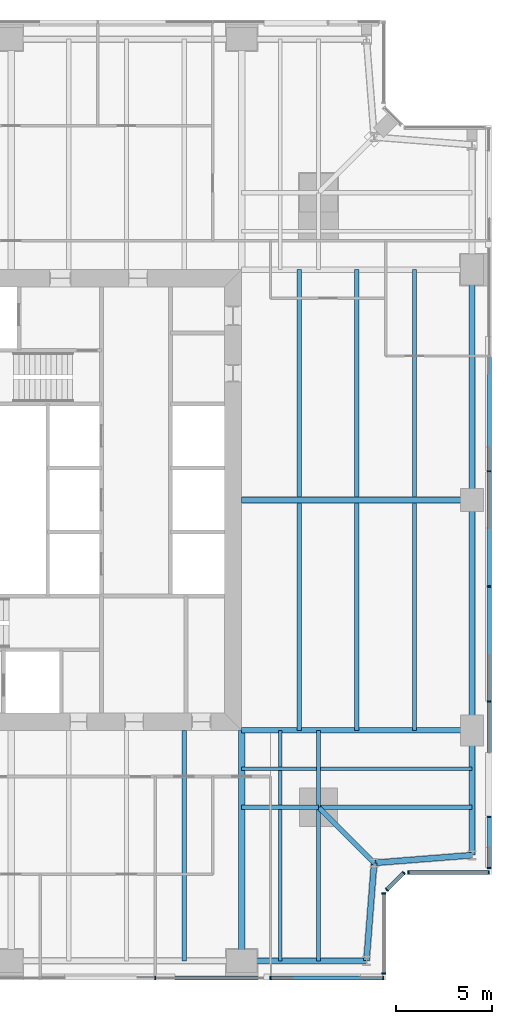
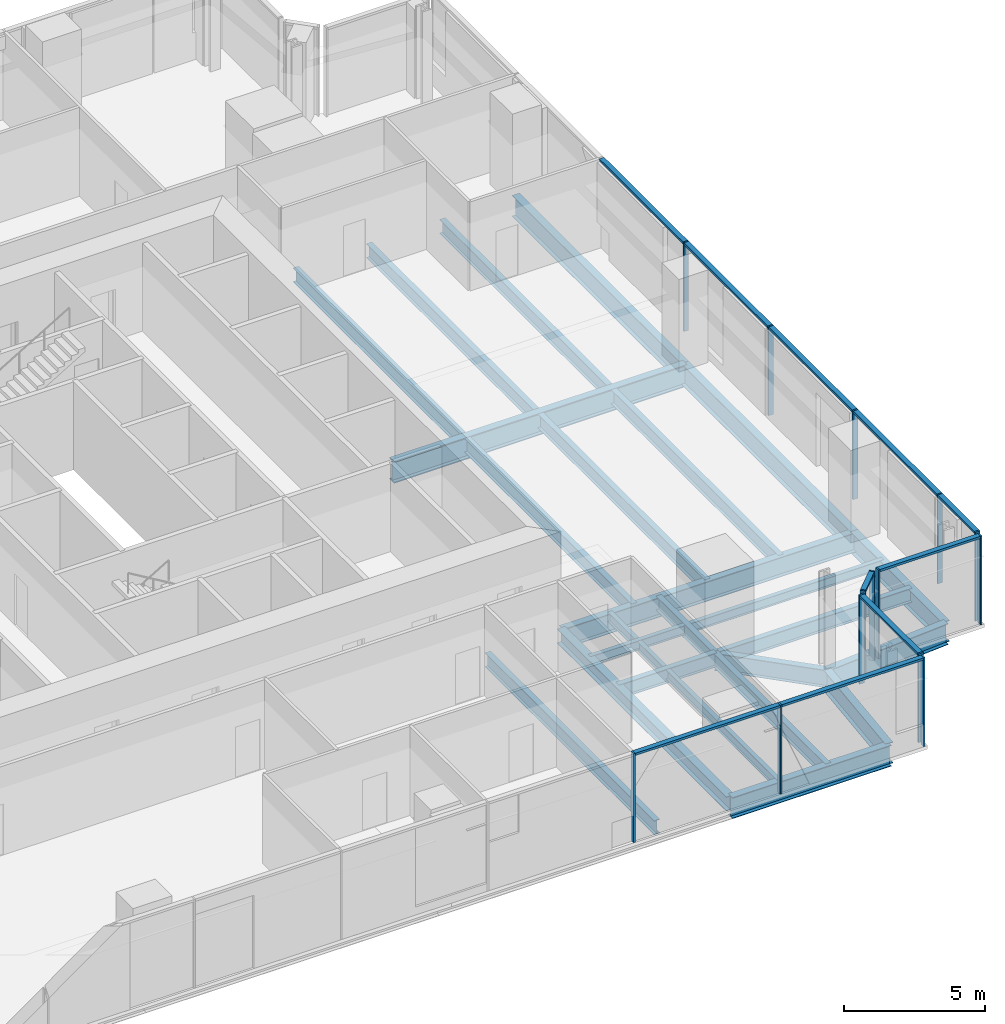
# One storey, part 5 of 14: 26 beams, 24 members, 5 elements without a shape of their own.
"""IFC4 building model written with IfcOpenShell, lengths in metres."""

from ifc_helpers import new_model, si_unit, direction, frame, origin, origin_2d, place, context, subcontext, project, spatial, rectangle, i_section, extrude, material, material_profile, profile_set, type_object, element, aggregate, save


model = new_model("IFC4")

# Units and contexts
model_context = context("Model", 3, precision=1e-05, world=origin(), true_north=direction((0.0, 1.0)))
body_context = subcontext(model_context, "Body", "Model", "MODEL_VIEW")
ifc_project = project(units=[si_unit("LENGTHUNIT", "METRE"), si_unit("AREAUNIT", "SQUARE_METRE"), si_unit("VOLUMEUNIT", "CUBIC_METRE"), si_unit("PLANEANGLEUNIT", "RADIAN"), si_unit("MASSUNIT", "GRAM", prefix="KILO")], contexts=[model_context])

# Site, building, storey
site_placement = place(None, origin())
site = spatial("IfcSite", under=ifc_project, at=site_placement, CompositionType="ELEMENT")
building_placement = place(site_placement, origin())
building = spatial("IfcBuilding", under=site, at=building_placement, Name="Fenwick Lantern Interchange", CompositionType="ELEMENT")
storey_placement = place(building_placement, frame((0.0, 0.0, 189.800048828125)))
storey = spatial("IfcBuildingStorey", under=building, at=storey_placement, Name="L44", CompositionType="ELEMENT", Elevation=189.800048828125)

# Beams
ifc_material_1 = material(Name="Steel ASTM A992 Grade 50", Category="steel")
ifc_material_profile_1 = material_profile(ifc_material_1, i_section(OverallWidth=0.3046875, OverallDepth=0.911865234375, WebThickness=0.015869140625, FlangeThickness=0.02392578125, at=origin_2d()), Name="W36X150")
ifc_profile_set_1 = profile_set([ifc_material_profile_1], Name="Steel ASTM A992 Grade 50")
beam_type_1 = type_object("IfcBeamType", Name="EDGE BEAM W36X150", PredefinedType="SPANDREL", material=ifc_profile_set_1)
beam_1_placement = place(storey_placement, frame((37.0, 1.0, -0.60595703125), z_axis=(1.0, 0.0, 0.0), x_axis=(0.0, 1.0, 0.0)))
element("IfcBeam", 1, at=beam_1_placement, inside=storey, type_object=beam_type_1, Name="L44/FR/S/EB4", PredefinedType="SPANDREL", context=body_context, shape_type="SweptSolid", body=[
    extrude(i_section(OverallWidth=0.3046875, OverallDepth=0.911865234375, WebThickness=0.015869140625, FlangeThickness=0.02392578125, at=origin_2d()), origin(), (0.0, 0.0, 1.0), 6.5),
])
for number, where, z_axis, x_axis, name in (
    (2, (43.5, 1.0, -0.60595703125), (0.078170784639, 0.99693998236, 0.0), (-0.99693998236, 0.078170784639, 0.0), "L44/FR/S/EBR1"),
    (3, (43.89990234375, 6.10009765625, -0.60595703125), (0.99693998236, 0.078170784639, 0.0), (-0.078170784639, 0.99693998236, 0.0), "L44/FR/S/EBR2"),
):
    element("IfcBeam", number, at=place(storey_placement, frame(where, z_axis=z_axis, x_axis=x_axis)), inside=storey, type_object=beam_type_1, Name=name, PredefinedType="SPANDREL", context=body_context, shape_type="SweptSolid", body=[
        extrude(i_section(OverallWidth=0.3046875, OverallDepth=0.911865234375, WebThickness=0.015869140625, FlangeThickness=0.02392578125, at=origin_2d()), origin(), (0.0, 0.0, 1.0), 5.11572265625),
    ])
beam_2_placement = place(storey_placement, frame((49.0, 6.5, -0.60595703125), z_axis=(0.0, 1.0, 0.0), x_axis=(-1.0, 0.0, 0.0)))
element("IfcBeam", 4, at=beam_2_placement, inside=storey, type_object=beam_type_1, Name="L44/FR/E/EB1", PredefinedType="SPANDREL", context=body_context, shape_type="SweptSolid", body=[
    extrude(i_section(OverallWidth=0.3046875, OverallDepth=0.911865234375, WebThickness=0.015869140625, FlangeThickness=0.02392578125, at=origin_2d()), origin(), (0.0, 0.0, 1.0), 6.5),
])
for number, where, z_axis, x_axis, name in (
    (5, (49.0, 13.0, -0.60595703125), (0.0, 1.0, 0.0), (-1.0, 0.0, 0.0), "L44/FR/E/EB2"),
    (6, (49.0, 25.0, -0.60595703125), (0.0, 1.0, 0.0), (-1.0, 0.0, 0.0), "L44/FR/E/EB3"),
):
    element("IfcBeam", number, at=place(storey_placement, frame(where, z_axis=z_axis, x_axis=x_axis)), inside=storey, type_object=beam_type_1, Name=name, PredefinedType="SPANDREL", context=body_context, shape_type="SweptSolid", body=[
        extrude(i_section(OverallWidth=0.3046875, OverallDepth=0.911865234375, WebThickness=0.015869140625, FlangeThickness=0.02392578125, at=origin_2d()), origin(), (0.0, 0.0, 1.0), 12.0),
    ])
ifc_material_profile_2 = material_profile(ifc_material_1, i_section(OverallWidth=0.22900390625, OverallDepth=0.612060546875, WebThickness=0.011962890625, FlangeThickness=0.01953125, at=origin_2d()), Name="W24X84")
ifc_profile_set_2 = profile_set([ifc_material_profile_2], Name="Steel ASTM A992 Grade 50")
beam_type_2 = type_object("IfcBeamType", Name="FLOOR BEAM W24X84", PredefinedType="BEAM", material=ifc_profile_set_2)
beam_3_placement = place(storey_placement, frame((34.0, 1.0, -0.4560546875), z_axis=(0.0, 1.0, 0.0), x_axis=(-1.0, 0.0, 0.0)))
element("IfcBeam", 7, at=beam_3_placement, inside=storey, type_object=beam_type_2, Name="L44/FR/S/R08", PredefinedType="BEAM", context=body_context, shape_type="SweptSolid", body=[
    extrude(i_section(OverallWidth=0.22900390625, OverallDepth=0.612060546875, WebThickness=0.011962890625, FlangeThickness=0.01953125, at=origin_2d()), origin(), (0.0, 0.0, 1.0), 12.0),
])
for number, where, z_axis, x_axis, name in (
    (8, (46.0, 13.0, -0.4560546875), (0.0, 1.0, 0.0), (-1.0, 0.0, 0.0), "L44/FR/E/B01"),
    (9, (43.0, 13.0, -0.4560546875), (0.0, 1.0, 0.0), (-1.0, 0.0, 0.0), "L44/FR/E/B02"),
    (10, (40.0, 13.0, -0.4560546875), (0.0, 1.0, 0.0), (-1.0, 0.0, 0.0), "L44/FR/E/B03"),
    (11, (46.0, 25.155029296875, -0.4560546875), (0.0, 1.0, 0.0), (-1.0, 0.0, 0.0), "L44/FR/E/B04"),
    (12, (43.0, 25.155029296875, -0.4560546875), (0.0, 1.0, 0.0), (-1.0, 0.0, 0.0), "L44/FR/E/B05"),
    (13, (40.0, 25.155029296875, -0.4560546875), (0.0, 1.0, 0.0), (-1.0, 0.0, 0.0), "L44/FR/E/B06"),
):
    element("IfcBeam", number, at=place(storey_placement, frame(where, z_axis=z_axis, x_axis=x_axis)), inside=storey, type_object=beam_type_2, Name=name, PredefinedType="BEAM", context=body_context, shape_type="SweptSolid", body=[
        extrude(i_section(OverallWidth=0.22900390625, OverallDepth=0.612060546875, WebThickness=0.011962890625, FlangeThickness=0.01953125, at=origin_2d()), origin(), (0.0, 0.0, 1.0), 11.844970703125),
    ])
ifc_material_profile_3 = material_profile(ifc_material_1, i_section(OverallWidth=0.177734375, OverallDepth=0.406494140625, WebThickness=0.0078125, FlangeThickness=0.012939453125, at=origin_2d()), Name="W16X40")
ifc_profile_set_3 = profile_set([ifc_material_profile_3], Name="Steel ASTM A992 Grade 50")
beam_type_3 = type_object("IfcBeamType", Name="INFILL BEAM W16X40", PredefinedType="JOIST", material=ifc_profile_set_3)
beam_4_placement = place(storey_placement, frame((49.0, 11.0, -0.353271484375), z_axis=(-1.0, 0.0, 0.0), x_axis=(0.0, -1.0, 0.0)))
element("IfcBeam", 14, at=beam_4_placement, inside=storey, type_object=beam_type_3, Name="L44/FR/E/J1", PredefinedType="JOIST", context=body_context, shape_type="SweptSolid", body=[
    extrude(i_section(OverallWidth=0.177734375, OverallDepth=0.406494140625, WebThickness=0.0078125, FlangeThickness=0.012939453125, at=origin_2d()), origin(), (0.0, 0.0, 1.0), 7.885498046875),
])
beam_5_placement = place(storey_placement, frame((40.885498046875, 11.0, -0.353271484375), z_axis=(-1.0, 0.0, 0.0), x_axis=(0.0, -1.0, 0.0)))
element("IfcBeam", 15, at=beam_5_placement, inside=storey, type_object=beam_type_3, Name="L44/FR/E/J2", PredefinedType="JOIST", context=body_context, shape_type="SweptSolid", body=[
    extrude(i_section(OverallWidth=0.177734375, OverallDepth=0.406494140625, WebThickness=0.0078125, FlangeThickness=0.012939453125, at=origin_2d()), origin(), (0.0, 0.0, 1.0), 3.885498046875),
])
beam_6_placement = place(storey_placement, frame((39.0, 1.0, -0.353271484375), z_axis=(0.0, 1.0, 0.0), x_axis=(-1.0, 0.0, 0.0)))
element("IfcBeam", 16, at=beam_6_placement, inside=storey, type_object=beam_type_3, Name="L44/FR/E/J3", PredefinedType="JOIST", context=body_context, shape_type="SweptSolid", body=[
    extrude(i_section(OverallWidth=0.177734375, OverallDepth=0.406494140625, WebThickness=0.0078125, FlangeThickness=0.012939453125, at=origin_2d()), origin(), (0.0, 0.0, 1.0), 7.885498046875),
])
beam_7_placement = place(storey_placement, frame((39.0, 9.114501953125, -0.353271484375), z_axis=(0.0, 1.0, 0.0), x_axis=(-1.0, 0.0, 0.0)))
element("IfcBeam", 17, at=beam_7_placement, inside=storey, type_object=beam_type_3, Name="L44/FR/E/J4", PredefinedType="JOIST", context=body_context, shape_type="SweptSolid", body=[
    extrude(i_section(OverallWidth=0.177734375, OverallDepth=0.406494140625, WebThickness=0.0078125, FlangeThickness=0.012939453125, at=origin_2d()), origin(), (0.0, 0.0, 1.0), 1.796630859375),
])
beam_8_placement = place(storey_placement, frame((39.0, 11.0888671875, -0.353271484375), z_axis=(0.0, 1.0, 0.0), x_axis=(-1.0, 0.0, 0.0)))
element("IfcBeam", 18, at=beam_8_placement, inside=storey, type_object=beam_type_3, Name="L44/FR/E/J5", PredefinedType="JOIST", context=body_context, shape_type="SweptSolid", body=[
    extrude(i_section(OverallWidth=0.177734375, OverallDepth=0.406494140625, WebThickness=0.0078125, FlangeThickness=0.012939453125, at=origin_2d()), origin(), (0.0, 0.0, 1.0), 1.9111328125),
])
ifc_material_profile_4 = material_profile(ifc_material_1, i_section(OverallWidth=0.22900390625, OverallDepth=0.612060546875, WebThickness=0.011962890625, FlangeThickness=0.01953125, at=origin_2d()), Name="W24X84")
ifc_profile_set_4 = profile_set([ifc_material_profile_4], Name="Steel ASTM A992 Grade 50")
beam_type_4 = type_object("IfcBeamType", Name="MEGA COLUMN BEAM W24X84", PredefinedType="BEAM", material=ifc_profile_set_4)
for number, where, z_axis, x_axis, name in (
    (19, (41.0, 9.0, -0.4560546875), (1.0, 0.0, 0.0), (0.0, 1.0, 0.0), "L44/FR/E/MB1"),
    (20, (41.0, 9.0, -0.4560546875), (0.0, -1.0, 0.0), (1.0, 0.0, 0.0), "L44/FR/E/MB2"),
):
    element("IfcBeam", number, at=place(storey_placement, frame(where, z_axis=z_axis, x_axis=x_axis)), inside=storey, type_object=beam_type_4, Name=name, PredefinedType="BEAM", context=body_context, shape_type="SweptSolid", body=[
        extrude(i_section(OverallWidth=0.22900390625, OverallDepth=0.612060546875, WebThickness=0.011962890625, FlangeThickness=0.01953125, at=origin_2d()), origin(), (0.0, 0.0, 1.0), 8.0),
    ])
for number, where, z_axis, x_axis, name in (
    (21, (41.0, 9.0, -0.4560546875), (0.0, 1.0, 0.0), (-1.0, 0.0, 0.0), "L44/FR/E/MB3"),
    (22, (41.0, 9.0, -0.4560546875), (-1.0, 0.0, 0.0), (0.0, -1.0, 0.0), "L44/FR/E/MB4"),
):
    element("IfcBeam", number, at=place(storey_placement, frame(where, z_axis=z_axis, x_axis=x_axis)), inside=storey, type_object=beam_type_4, Name=name, PredefinedType="BEAM", context=body_context, shape_type="SweptSolid", body=[
        extrude(i_section(OverallWidth=0.22900390625, OverallDepth=0.612060546875, WebThickness=0.011962890625, FlangeThickness=0.01953125, at=origin_2d()), origin(), (0.0, 0.0, 1.0), 4.0),
    ])
ifc_material_profile_5 = material_profile(ifc_material_1, i_section(OverallWidth=0.32763671875, OverallDepth=0.622314453125, WebThickness=0.015380859375, FlangeThickness=0.0244140625, at=origin_2d()), Name="W24X131")
ifc_profile_set_5 = profile_set([ifc_material_profile_5], Name="Steel ASTM A992 Grade 50")
beam_type_5 = type_object("IfcBeamType", Name="MOMENT-CONNECTED GIRDER W24X131", PredefinedType="BEAM", material=ifc_profile_set_5)
beam_9_placement = place(storey_placement, frame((37.0, 1.0, -0.461181640625), z_axis=(0.0, 1.0, 0.0), x_axis=(-1.0, 0.0, 0.0)))
element("IfcBeam", 23, at=beam_9_placement, inside=storey, type_object=beam_type_5, Name="L44/FR/S/R09", PredefinedType="BEAM", context=body_context, shape_type="SweptSolid", body=[
    extrude(i_section(OverallWidth=0.32763671875, OverallDepth=0.622314453125, WebThickness=0.015380859375, FlangeThickness=0.0244140625, at=origin_2d()), origin(), (0.0, 0.0, 1.0), 12.0),
])
ifc_material_profile_6 = material_profile(ifc_material_1, i_section(OverallWidth=0.2919921875, OverallDepth=0.845703125, WebThickness=0.015380859375, FlangeThickness=0.0244140625, at=origin_2d()), Name="W33X141")
ifc_profile_set_6 = profile_set([ifc_material_profile_6], Name="Steel ASTM A992 Grade 50")
beam_type_6 = type_object("IfcBeamType", Name="MOMENT-CONNECTED GIRDER W33X141", PredefinedType="BEAM", material=ifc_profile_set_6)
beam_10_placement = place(storey_placement, frame((49.0, 13.0, -0.572998046875), z_axis=(-1.0, 0.0, 0.0), x_axis=(0.0, -1.0, 0.0)))
element("IfcBeam", 24, at=beam_10_placement, inside=storey, type_object=beam_type_6, Name="L44/FR/E/R01", PredefinedType="BEAM", context=body_context, shape_type="SweptSolid", body=[
    extrude(i_section(OverallWidth=0.2919921875, OverallDepth=0.845703125, WebThickness=0.015380859375, FlangeThickness=0.0244140625, at=origin_2d()), origin(), (0.0, 0.0, 1.0), 12.0),
])
ifc_material_profile_7 = material_profile(ifc_material_1, i_section(OverallWidth=0.309814453125, OverallDepth=0.949951171875, WebThickness=0.0244140625, FlangeThickness=0.0439453125, at=origin_2d()), Name="W36X256")
ifc_profile_set_7 = profile_set([ifc_material_profile_7], Name="Steel ASTM A992 Grade 50")
beam_type_7 = type_object("IfcBeamType", Name="MOMENT-CONNECTED GIRDER W36X256", PredefinedType="BEAM", material=ifc_profile_set_7)
beam_11_placement = place(storey_placement, frame((49.0, 25.0, -0.625), z_axis=(-1.0, 0.0, 0.0), x_axis=(0.0, -1.0, 0.0)))
element("IfcBeam", 25, at=beam_11_placement, inside=storey, type_object=beam_type_7, Name="L44/FR/E/R02", PredefinedType="BEAM", context=body_context, shape_type="SweptSolid", body=[
    extrude(i_section(OverallWidth=0.309814453125, OverallDepth=0.949951171875, WebThickness=0.0244140625, FlangeThickness=0.0439453125, at=origin_2d()), origin(), (0.0, 0.0, 1.0), 12.0),
])
ifc_material_profile_8 = material_profile(ifc_material_1, i_section(OverallWidth=0.2666015625, OverallDepth=0.7568359375, WebThickness=0.013916015625, FlangeThickness=0.019287109375, at=origin_2d()), Name="W30X108")
ifc_profile_set_8 = profile_set([ifc_material_profile_8], Name="Steel ASTM A992 Grade 50")
beam_type_8 = type_object("IfcBeamType", Name="NOTCH BEAM W30X108", PredefinedType="BEAM", material=ifc_profile_set_8)
beam_12_placement = place(storey_placement, frame((41.0, 9.0, -0.528564453125), z_axis=(0.707106781187, -0.707106781187, 0.0), x_axis=(0.707106781187, 0.707106781187, 0.0)))
element("IfcBeam", 26, at=beam_12_placement, inside=storey, type_object=beam_type_8, Name="L44/FR/E/TG", PredefinedType="BEAM", context=body_context, shape_type="SweptSolid", body=[
    extrude(i_section(OverallWidth=0.2666015625, OverallDepth=0.7568359375, WebThickness=0.013916015625, FlangeThickness=0.019287109375, at=origin_2d()), origin(), (0.0, 0.0, 1.0), 4.10107421875),
])

# Curtain wall, members
ifc_material_2 = material(Name="Aluminium curtain wall frame", Category="aluminium")
curtain_wall_type = type_object("IfcCurtainWallType", Name="OFFICE CURTAIN WALL", PredefinedType="USERDEFINED", material=ifc_material_2)
curtain_wall_1_placement = place(storey_placement, origin())
curtain_wall_1 = element("IfcCurtainWall", 27, at=curtain_wall_1_placement, inside=storey, type_object=curtain_wall_type, Name="Office curtain wall 01", ObjectType="OFFICE CURTAIN WALL", PredefinedType="USERDEFINED")
ifc_material_3 = material(Name="Aluminium extrusion", Category="aluminium")
ifc_material_profile_9 = material_profile(ifc_material_3, rectangle(XDim=0.199951171875, YDim=0.06494140625, at=origin_2d()), Name="OFFICE CURTAIN WALL MULLION 65 X 200")
ifc_profile_set_9 = profile_set([ifc_material_profile_9], Name="Aluminium extrusion")
member_type_1 = type_object("IfcMemberType", Name="OFFICE CURTAIN WALL MULLION 65 X 200", PredefinedType="MULLION", material=ifc_profile_set_9)
member_1_placement = place(storey_placement, frame((32.5, 0.10009765625, 0.0), z_axis=(0.0, 0.0, 1.0), x_axis=(0.0, 1.0, 0.0)))
member_1 = element("IfcMember", 28, at=member_1_placement, type_object=member_type_1, Name="L44/CW/01/M05", PredefinedType="MULLION", context=body_context, shape_type="SweptSolid", body=[
    extrude(rectangle(XDim=0.199951171875, YDim=0.06494140625, at=origin_2d()), origin(), (0.0, 0.0, 1.0), 3.849853515625),
])
member_2_placement = place(storey_placement, frame((38.5, 0.10009765625, 0.0), z_axis=(0.0, 0.0, 1.0), x_axis=(0.0, 1.0, 0.0)))
member_2 = element("IfcMember", 29, at=member_2_placement, type_object=member_type_1, Name="L44/CW/01/M06", PredefinedType="MULLION", context=body_context, shape_type="SweptSolid", body=[
    extrude(rectangle(XDim=0.199951171875, YDim=0.06494140625, at=origin_2d()), origin(), (0.0, 0.0, 1.0), 3.849853515625),
])
member_3_placement = place(storey_placement, frame((44.367431640625, 0.10009765625, 0.0), z_axis=(0.0, 0.0, 1.0), x_axis=(0.0, 1.0, 0.0)))
member_3 = element("IfcMember", 30, at=member_3_placement, type_object=member_type_1, Name="L44/CW/01/M07", PredefinedType="MULLION", context=body_context, shape_type="SweptSolid", body=[
    extrude(rectangle(XDim=0.199951171875, YDim=0.06494140625, at=origin_2d()), origin(), (0.0, 0.0, 1.0), 3.849853515625),
])

curtain_wall_2_placement = place(storey_placement, origin())
curtain_wall_2 = element("IfcCurtainWall", 31, at=curtain_wall_2_placement, inside=storey, type_object=curtain_wall_type, Name="Office curtain wall 02", ObjectType="OFFICE CURTAIN WALL", PredefinedType="USERDEFINED")
member_4_placement = place(storey_placement, frame((44.39990234375, 0.33251953125, 0.0), z_axis=(0.0, 0.0, 1.0), x_axis=(-1.0, 0.0, 0.0)))
member_4 = element("IfcMember", 32, at=member_4_placement, type_object=member_type_1, Name="L44/CW/02/M00", PredefinedType="MULLION", context=body_context, shape_type="SweptSolid", body=[
    extrude(rectangle(XDim=0.199951171875, YDim=0.06494140625, at=origin_2d()), origin(), (0.0, 0.0, 1.0), 3.849853515625),
])
member_5_placement = place(storey_placement, frame((44.39990234375, 4.509033203125, 0.0), z_axis=(0.0, 0.0, 1.0), x_axis=(-1.0, 0.0, 0.0)))
member_5 = element("IfcMember", 33, at=member_5_placement, type_object=member_type_1, Name="L44/CW/02/M01", PredefinedType="MULLION", context=body_context, shape_type="SweptSolid", body=[
    extrude(rectangle(XDim=0.199951171875, YDim=0.06494140625, at=origin_2d()), origin(), (0.0, 0.0, 1.0), 3.849853515625),
])

curtain_wall_3_placement = place(storey_placement, origin())
curtain_wall_3 = element("IfcCurtainWall", 34, at=curtain_wall_3_placement, inside=storey, type_object=curtain_wall_type, Name="Office curtain wall 03", ObjectType="OFFICE CURTAIN WALL", PredefinedType="USERDEFINED")
member_6_placement = place(storey_placement, frame((44.564453125, 4.705810546875, 0.0), z_axis=(0.0, 0.0, 1.0), x_axis=(-0.707106781187, 0.707106781187, 0.0)))
member_6 = element("IfcMember", 35, at=member_6_placement, type_object=member_type_1, Name="L44/CW/03/M00", PredefinedType="MULLION", context=body_context, shape_type="SweptSolid", body=[
    extrude(rectangle(XDim=0.199951171875, YDim=0.06494140625, at=origin_2d()), origin(), (0.0, 0.0, 1.0), 3.849853515625),
])
member_7_placement = place(storey_placement, frame((45.435546875, 5.576904296875, 0.0), z_axis=(0.0, 0.0, 1.0), x_axis=(-0.707106781187, 0.707106781187, 0.0)))
member_7 = element("IfcMember", 36, at=member_7_placement, type_object=member_type_1, Name="L44/CW/03/M01", PredefinedType="MULLION", context=body_context, shape_type="SweptSolid", body=[
    extrude(rectangle(XDim=0.199951171875, YDim=0.06494140625, at=origin_2d()), origin(), (0.0, 0.0, 1.0), 3.849853515625),
])

curtain_wall_4_placement = place(storey_placement, origin())
curtain_wall_4 = element("IfcCurtainWall", 37, at=curtain_wall_4_placement, inside=storey, type_object=curtain_wall_type, Name="Office curtain wall 04", ObjectType="OFFICE CURTAIN WALL", PredefinedType="USERDEFINED")
member_8_placement = place(storey_placement, frame((45.691162109375, 5.60009765625, 0.0), z_axis=(0.0, 0.0, 1.0), x_axis=(0.0, 1.0, 0.0)))
member_8 = element("IfcMember", 38, at=member_8_placement, type_object=member_type_1, Name="L44/CW/04/M00", PredefinedType="MULLION", context=body_context, shape_type="SweptSolid", body=[
    extrude(rectangle(XDim=0.199951171875, YDim=0.06494140625, at=origin_2d()), origin(), (0.0, 0.0, 1.0), 3.849853515625),
])
member_9_placement = place(storey_placement, frame((49.867431640625, 5.60009765625, 0.0), z_axis=(0.0, 0.0, 1.0), x_axis=(0.0, 1.0, 0.0)))
member_9 = element("IfcMember", 39, at=member_9_placement, type_object=member_type_1, Name="L44/CW/04/M01", PredefinedType="MULLION", context=body_context, shape_type="SweptSolid", body=[
    extrude(rectangle(XDim=0.199951171875, YDim=0.06494140625, at=origin_2d()), origin(), (0.0, 0.0, 1.0), 3.849853515625),
])

curtain_wall_5_placement = place(storey_placement, origin())
curtain_wall_5 = element("IfcCurtainWall", 40, at=curtain_wall_5_placement, inside=storey, type_object=curtain_wall_type, Name="Office curtain wall 05", ObjectType="OFFICE CURTAIN WALL", PredefinedType="USERDEFINED")
member_10_placement = place(storey_placement, frame((49.89990234375, 5.83251953125, 0.0), z_axis=(0.0, 0.0, 1.0), x_axis=(-1.0, 0.0, 0.0)))
member_10 = element("IfcMember", 41, at=member_10_placement, type_object=member_type_1, Name="L44/CW/05/M00", PredefinedType="MULLION", context=body_context, shape_type="SweptSolid", body=[
    extrude(rectangle(XDim=0.199951171875, YDim=0.06494140625, at=origin_2d()), origin(), (0.0, 0.0, 1.0), 3.849853515625),
])
member_11_placement = place(storey_placement, frame((49.89990234375, 8.5, 0.0), z_axis=(0.0, 0.0, 1.0), x_axis=(-1.0, 0.0, 0.0)))
member_11 = element("IfcMember", 42, at=member_11_placement, type_object=member_type_1, Name="L44/CW/05/M01", PredefinedType="MULLION", context=body_context, shape_type="SweptSolid", body=[
    extrude(rectangle(XDim=0.199951171875, YDim=0.06494140625, at=origin_2d()), origin(), (0.0, 0.0, 1.0), 3.849853515625),
])
member_12_placement = place(storey_placement, frame((49.89990234375, 14.5, 0.0), z_axis=(0.0, 0.0, 1.0), x_axis=(-1.0, 0.0, 0.0)))
member_12 = element("IfcMember", 43, at=member_12_placement, type_object=member_type_1, Name="L44/CW/05/M02", PredefinedType="MULLION", context=body_context, shape_type="SweptSolid", body=[
    extrude(rectangle(XDim=0.199951171875, YDim=0.06494140625, at=origin_2d()), origin(), (0.0, 0.0, 1.0), 3.849853515625),
])
member_13_placement = place(storey_placement, frame((49.89990234375, 20.5, 0.0), z_axis=(0.0, 0.0, 1.0), x_axis=(-1.0, 0.0, 0.0)))
member_13 = element("IfcMember", 44, at=member_13_placement, type_object=member_type_1, Name="L44/CW/05/M03", PredefinedType="MULLION", context=body_context, shape_type="SweptSolid", body=[
    extrude(rectangle(XDim=0.199951171875, YDim=0.06494140625, at=origin_2d()), origin(), (0.0, 0.0, 1.0), 3.849853515625),
])
member_14_placement = place(storey_placement, frame((49.89990234375, 26.5, 0.0), z_axis=(0.0, 0.0, 1.0), x_axis=(-1.0, 0.0, 0.0)))
member_14 = element("IfcMember", 45, at=member_14_placement, type_object=member_type_1, Name="L44/CW/05/M04", PredefinedType="MULLION", context=body_context, shape_type="SweptSolid", body=[
    extrude(rectangle(XDim=0.199951171875, YDim=0.06494140625, at=origin_2d()), origin(), (0.0, 0.0, 1.0), 3.849853515625),
])

# Member
ifc_material_profile_10 = material_profile(ifc_material_3, rectangle(XDim=0.199951171875, YDim=0.10009765625, at=origin_2d()), Name="OFFICE CURTAIN WALL TRANSOM 100 X 200")
ifc_profile_set_10 = profile_set([ifc_material_profile_10], Name="Aluminium extrusion")
member_type_2 = type_object("IfcMemberType", Name="OFFICE CURTAIN WALL TRANSOM 100 X 200", PredefinedType="MULLION", material=ifc_profile_set_10)
member_15_placement = place(storey_placement, frame((32.532470703125, 0.10009765625, 3.800048828125), z_axis=(1.0, 0.0, 0.0), x_axis=(0.0, 1.0, 0.0)))
member_15 = element("IfcMember", 46, at=member_15_placement, type_object=member_type_2, Name="L44/CW/01/T05", PredefinedType="MULLION", context=body_context, shape_type="SweptSolid", body=[
    extrude(rectangle(XDim=0.199951171875, YDim=0.10009765625, at=origin_2d()), origin(), (0.0, 0.0, 1.0), 5.93505859375),
])

member_16_placement = place(storey_placement, frame((38.532470703125, 0.10009765625, 3.800048828125), z_axis=(1.0, 0.0, 0.0), x_axis=(0.0, 1.0, 0.0)))
member_16 = element("IfcMember", 47, at=member_16_placement, type_object=member_type_2, Name="L44/CW/01/T06", PredefinedType="MULLION", context=body_context, shape_type="SweptSolid", body=[
    extrude(rectangle(XDim=0.199951171875, YDim=0.10009765625, at=origin_2d()), origin(), (0.0, 0.0, 1.0), 5.802490234375),
])

aggregate(curtain_wall_1, [member_1, member_2, member_3, member_15, member_16])

member_17_placement = place(storey_placement, frame((44.39990234375, 0.364990234375, 3.800048828125), z_axis=(0.0, 1.0, 0.0), x_axis=(-1.0, 0.0, 0.0)))
member_17 = element("IfcMember", 48, at=member_17_placement, type_object=member_type_2, Name="L44/CW/02/T00", PredefinedType="MULLION", context=body_context, shape_type="SweptSolid", body=[
    extrude(rectangle(XDim=0.199951171875, YDim=0.10009765625, at=origin_2d()), origin(), (0.0, 0.0, 1.0), 4.111328125),
])

aggregate(curtain_wall_2, [member_4, member_5, member_17])

member_18_placement = place(storey_placement, frame((44.58740234375, 4.728759765625, 3.800048828125), z_axis=(0.707106781187, 0.707106781187, 0.0), x_axis=(-0.707106781187, 0.707106781187, 0.0)))
member_18 = element("IfcMember", 49, at=member_18_placement, type_object=member_type_2, Name="L44/CW/03/T00", PredefinedType="MULLION", context=body_context, shape_type="SweptSolid", body=[
    extrude(rectangle(XDim=0.199951171875, YDim=0.10009765625, at=origin_2d()), origin(), (0.0, 0.0, 1.0), 1.1669921875),
])

aggregate(curtain_wall_3, [member_6, member_7, member_18])

member_19_placement = place(storey_placement, frame((45.7236328125, 5.60009765625, 3.800048828125), z_axis=(1.0, 0.0, 0.0), x_axis=(0.0, 1.0, 0.0)))
member_19 = element("IfcMember", 50, at=member_19_placement, type_object=member_type_2, Name="L44/CW/04/T00", PredefinedType="MULLION", context=body_context, shape_type="SweptSolid", body=[
    extrude(rectangle(XDim=0.199951171875, YDim=0.10009765625, at=origin_2d()), origin(), (0.0, 0.0, 1.0), 4.111328125),
])

aggregate(curtain_wall_4, [member_8, member_9, member_19])

member_20_placement = place(storey_placement, frame((49.89990234375, 5.864990234375, 3.800048828125), z_axis=(0.0, 1.0, 0.0), x_axis=(-1.0, 0.0, 0.0)))
member_20 = element("IfcMember", 51, at=member_20_placement, type_object=member_type_2, Name="L44/CW/05/T00", PredefinedType="MULLION", context=body_context, shape_type="SweptSolid", body=[
    extrude(rectangle(XDim=0.199951171875, YDim=0.10009765625, at=origin_2d()), origin(), (0.0, 0.0, 1.0), 2.6025390625),
])

member_21_placement = place(storey_placement, frame((49.89990234375, 8.532470703125, 3.800048828125), z_axis=(0.0, 1.0, 0.0), x_axis=(-1.0, 0.0, 0.0)))
member_21 = element("IfcMember", 52, at=member_21_placement, type_object=member_type_2, Name="L44/CW/05/T01", PredefinedType="MULLION", context=body_context, shape_type="SweptSolid", body=[
    extrude(rectangle(XDim=0.199951171875, YDim=0.10009765625, at=origin_2d()), origin(), (0.0, 0.0, 1.0), 5.93505859375),
])

member_22_placement = place(storey_placement, frame((49.89990234375, 14.532470703125, 3.800048828125), z_axis=(0.0, 1.0, 0.0), x_axis=(-1.0, 0.0, 0.0)))
member_22 = element("IfcMember", 53, at=member_22_placement, type_object=member_type_2, Name="L44/CW/05/T02", PredefinedType="MULLION", context=body_context, shape_type="SweptSolid", body=[
    extrude(rectangle(XDim=0.199951171875, YDim=0.10009765625, at=origin_2d()), origin(), (0.0, 0.0, 1.0), 5.93505859375),
])

member_23_placement = place(storey_placement, frame((49.89990234375, 20.532470703125, 3.800048828125), z_axis=(0.0, 1.0, 0.0), x_axis=(-1.0, 0.0, 0.0)))
member_23 = element("IfcMember", 54, at=member_23_placement, type_object=member_type_2, Name="L44/CW/05/T03", PredefinedType="MULLION", context=body_context, shape_type="SweptSolid", body=[
    extrude(rectangle(XDim=0.199951171875, YDim=0.10009765625, at=origin_2d()), origin(), (0.0, 0.0, 1.0), 5.93505859375),
])

member_24_placement = place(storey_placement, frame((49.89990234375, 26.532470703125, 3.800048828125), z_axis=(0.0, 1.0, 0.0), x_axis=(-1.0, 0.0, 0.0)))
member_24 = element("IfcMember", 55, at=member_24_placement, type_object=member_type_2, Name="L44/CW/05/T04", PredefinedType="MULLION", context=body_context, shape_type="SweptSolid", body=[
    extrude(rectangle(XDim=0.199951171875, YDim=0.10009765625, at=origin_2d()), origin(), (0.0, 0.0, 1.0), 5.93505859375),
])

aggregate(curtain_wall_5, [member_10, member_11, member_12, member_13, member_14, member_20, member_21, member_22, member_23, member_24])

save(model, "model.ifc")
